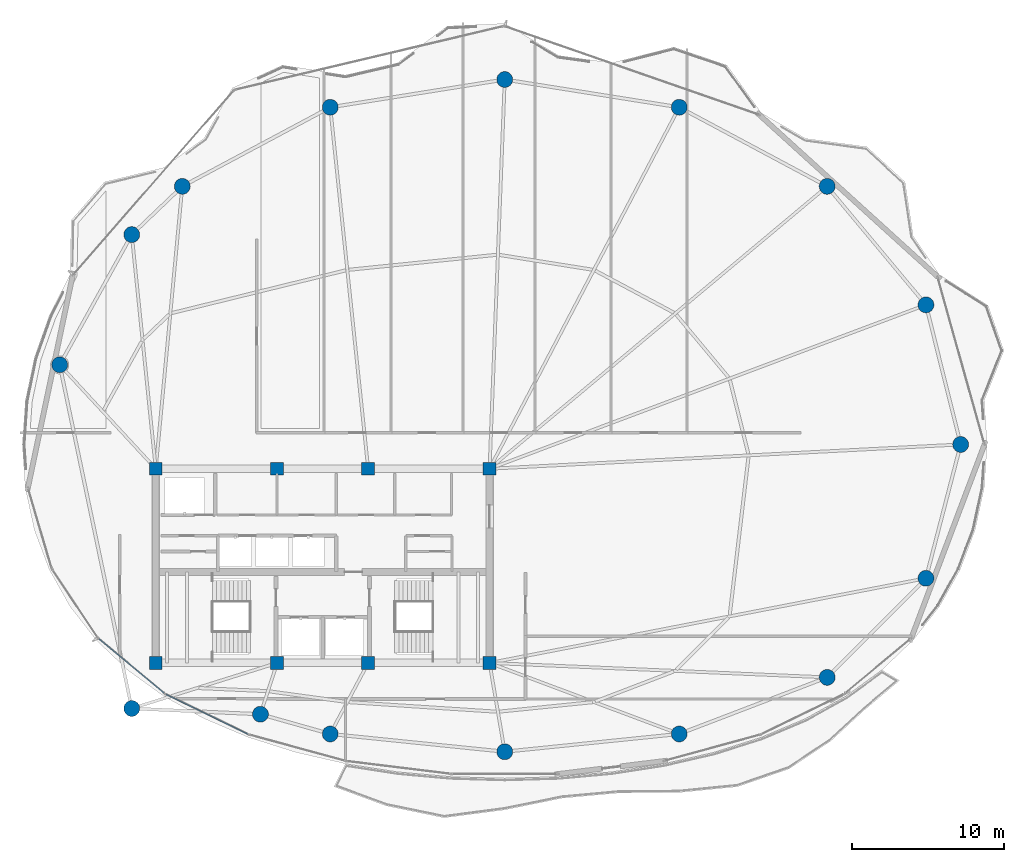
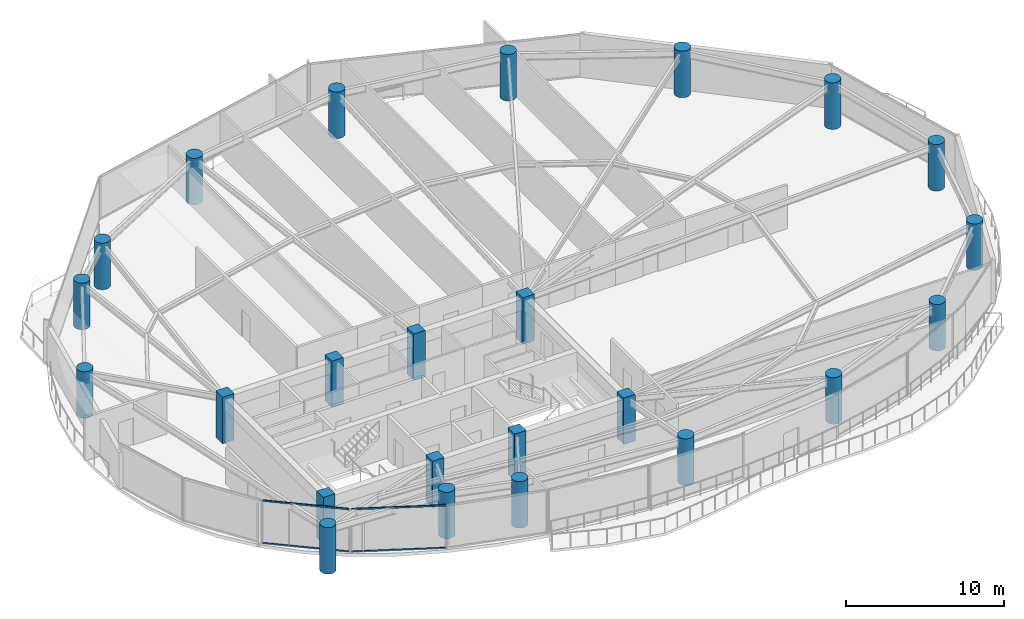
# One storey, part 1 of 28: 24 columns, 4 members, 2 elements without a shape of their own.
"""IFC4 building model written with IfcOpenShell, lengths in metres."""

from ifc_helpers import new_model, si_unit, direction, frame, origin, origin_2d, place, context, subcontext, project, spatial, rectangle, hollow_rectangle, circle, extrude, material, layer, layer_set, material_profile, profile_set, type_object, element, aggregate, save


model = new_model("IFC4")

# Units and contexts
model_context = context("Model", 3, precision=1e-05, world=origin(), true_north=direction((0.0, 1.0)))
body_context = subcontext(model_context, "Body", "Model", "MODEL_VIEW")
ifc_project = project(units=[si_unit("LENGTHUNIT", "METRE"), si_unit("AREAUNIT", "SQUARE_METRE"), si_unit("VOLUMEUNIT", "CUBIC_METRE"), si_unit("PLANEANGLEUNIT", "RADIAN"), si_unit("MASSUNIT", "GRAM", prefix="KILO")], contexts=[model_context])

# Site, building, storey
site_placement = place(None, origin())
site = spatial("IfcSite", under=ifc_project, at=site_placement, CompositionType="ELEMENT")
building_placement = place(site_placement, origin())
building = spatial("IfcBuilding", under=site, at=building_placement, Name="Kazevale Care Tower and Concert Hall", CompositionType="ELEMENT")
storey_placement = place(building_placement, frame((0.0, 0.0, 246.0)))
storey = spatial("IfcBuildingStorey", under=building, at=storey_placement, Name="L65", CompositionType="ELEMENT", Elevation=246.0)

# Columns
ifc_material_1 = material(Name="Concrete C50", Category="concrete")
ifc_material_profile_1 = material_profile(ifc_material_1, rectangle(XDim=0.85009765625, YDim=0.85009765625, at=origin_2d()), Name="RC-SQ850")
ifc_profile_set_1 = profile_set([ifc_material_profile_1], Name="Concrete C50")
column_type_1 = type_object("IfcColumnType", Name="Core Column SQ850 C50", PredefinedType="COLUMN", material=ifc_profile_set_1)
for number, where, z_axis, x_axis, name in (
    (1, (22.0, 23.60009765625, 0.0), (0.0, 0.0, 1.0), (1.0, 0.0, 0.0), "col:L65:CC-01"),
    (2, (30.0, 23.60009765625, 0.0), (0.0, 0.0, 1.0), (1.0, 0.0, 0.0), "col:L65:CC-02"),
    (3, (36.0, 23.60009765625, 0.0), (0.0, 0.0, 1.0), (1.0, 0.0, 0.0), "col:L65:CC-03"),
    (4, (44.0, 23.60009765625, 0.0), (0.0, 0.0, 1.0), (1.0, 0.0, 0.0), "col:L65:CC-04"),
    (5, (44.0, 36.39990234375, 0.0), (0.0, 0.0, 1.0), (1.0, 0.0, 0.0), "col:L65:CC-05"),
    (6, (36.0, 36.39990234375, 0.0), (0.0, 0.0, 1.0), (1.0, 0.0, 0.0), "col:L65:CC-06"),
    (7, (30.0, 36.39990234375, 0.0), (0.0, 0.0, 1.0), (1.0, 0.0, 0.0), "col:L65:CC-07"),
    (8, (22.0, 36.39990234375, 0.0), (0.0, 0.0, 1.0), (1.0, 0.0, 0.0), "col:L65:CC-08"),
):
    element("IfcColumn", number, at=place(storey_placement, frame(where, z_axis=z_axis, x_axis=x_axis)), inside=storey, type_object=column_type_1, Name=name, PredefinedType="COLUMN", context=body_context, shape_type="SweptSolid", body=[
        extrude(rectangle(XDim=0.85009765625, YDim=0.85009765625, at=origin_2d()), origin(), (0.0, 0.0, 1.0), 3.60009765625),
    ])
ifc_material_profile_2 = material_profile(ifc_material_1, circle(Radius=0.52490234375, at=origin_2d()), Name="RC-CIR1050")
ifc_profile_set_2 = profile_set([ifc_material_profile_2], Name="Concrete C50")
column_type_2 = type_object("IfcColumnType", Name="Perimeter Column CIR1050 C50", PredefinedType="COLUMN", material=ifc_profile_set_2)
for number, where, z_axis, x_axis, name in (
    (9, (75.050048828125, 38.0, 0.0), (0.0, 0.0, 1.0), (1.0, 0.0, 0.0), "col:L65:PC-01"),
    (10, (72.760009765625, 47.199951171875, 0.0), (0.0, 0.0, 1.0), (1.0, 0.0, 0.0), "col:L65:PC-02"),
    (11, (66.25, 55.010009765625, 0.0), (0.0, 0.0, 1.0), (1.0, 0.0, 0.0), "col:L65:PC-03"),
    (12, (56.5, 60.219970703125, 0.0), (0.0, 0.0, 1.0), (1.0, 0.0, 0.0), "col:L65:PC-04"),
    (13, (45.0, 62.050048828125, 0.0), (0.0, 0.0, 1.0), (1.0, 0.0, 0.0), "col:L65:PC-05"),
    (14, (33.5, 60.219970703125, 0.0), (0.0, 0.0, 1.0), (1.0, 0.0, 0.0), "col:L65:PC-06"),
    (15, (23.75, 55.010009765625, 0.0), (0.0, 0.0, 1.0), (1.0, 0.0, 0.0), "col:L65:PC-07"),
    (16, (20.419921875, 51.830078125, 0.0), (0.0, 0.0, 1.0), (1.0, 0.0, 0.0), "col:L65:PC-08"),
    (17, (15.669921875, 43.25, 0.0), (0.0, 0.0, 1.0), (1.0, 0.0, 0.0), "col:L65:PC-09"),
    (18, (20.419921875, 20.60009765625, 0.0), (0.0, 0.0, 1.0), (1.0, 0.0, 0.0), "col:L65:PC-10"),
    (19, (28.89990234375, 20.219970703125, 0.0), (0.0, 0.0, 1.0), (1.0, 0.0, 0.0), "col:L65:PC-11"),
    (20, (33.5, 18.919921875, 0.0), (0.0, 0.0, 1.0), (1.0, 0.0, 0.0), "col:L65:PC-12"),
    (21, (45.0, 17.75, 0.0), (0.0, 0.0, 1.0), (1.0, 0.0, 0.0), "col:L65:PC-13"),
    (22, (56.5, 18.919921875, 0.0), (0.0, 0.0, 1.0), (1.0, 0.0, 0.0), "col:L65:PC-14"),
    (23, (66.25, 22.64990234375, 0.0), (0.0, 0.0, 1.0), (1.0, 0.0, 0.0), "col:L65:PC-15"),
    (24, (72.760009765625, 29.179931640625, 0.0), (0.0, 0.0, 1.0), (1.0, 0.0, 0.0), "col:L65:PC-16"),
):
    element("IfcColumn", number, at=place(storey_placement, frame(where, z_axis=z_axis, x_axis=x_axis)), inside=storey, type_object=column_type_2, Name=name, PredefinedType="COLUMN", context=body_context, shape_type="SweptSolid", body=[
        extrude(circle(Radius=0.52490234375, at=origin_2d()), origin(), (0.0, 0.0, 1.0), 3.60009765625),
    ])

# Curtain wall, members
ifc_material_2 = material(Name="Aluminium 6063-T6 and Low-E Glass", Category="aluminium")
ifc_layer = layer(ifc_material_2, 0.179931640625)
ifc_layer_set = layer_set([ifc_layer], Name="Aluminium 6063-T6 and Low-E Glass")
curtain_wall_type = type_object("IfcCurtainWallType", Name="Sheltered Concave Balcony Curtain Wall CW-5", PredefinedType="NOTDEFINED", material=ifc_layer_set)
curtain_wall_1_placement = place(storey_placement, origin())
curtain_wall_1 = element("IfcCurtainWall", 25, at=curtain_wall_1_placement, inside=storey, type_object=curtain_wall_type, Name="cw:L65:f09", PredefinedType="NOTDEFINED")
ifc_material_3 = material(Name="Aluminium 6063-T6", Category="aluminium")
ifc_material_profile_3 = material_profile(ifc_material_3, hollow_rectangle(XDim=0.074951171875, YDim=0.1201171875, WallThickness=0.00390625, at=origin_2d()), Name="ALU75x120x4")
ifc_profile_set_3 = profile_set([ifc_material_profile_3], Name="Aluminium 6063-T6")
member_type = type_object("IfcMemberType", Name="CW-5 Transom ALU75x120x4", PredefinedType="USERDEFINED", material=ifc_profile_set_3)
member_1_placement = place(storey_placement, frame((28.07666015625, 18.90576171875, 0.03759765625), z_axis=(-0.899342308406, 0.437245254189, 0.0), x_axis=(-0.437245254189, -0.899342308406, 0.0)))
member_1 = element("IfcMember", 26, at=member_1_placement, type_object=member_type, Name="CW-5 transom 1.1", ObjectType="TRANSOM", PredefinedType="USERDEFINED", context=body_context, shape_type="SweptSolid", body=[
    extrude(hollow_rectangle(XDim=0.074951171875, YDim=0.1201171875, WallThickness=0.00390625, at=origin_2d()), origin(), (0.0, 0.0, 1.0), 6.00244140625),
])
member_2_placement = place(storey_placement, frame((28.07666015625, 18.90576171875, 3.322509765625), z_axis=(-0.899342308406, 0.437245254189, 0.0), x_axis=(-0.437245254189, -0.899342308406, 0.0)))
member_2 = element("IfcMember", 27, at=member_2_placement, type_object=member_type, Name="CW-5 transom 1.2", ObjectType="TRANSOM", PredefinedType="USERDEFINED", context=body_context, shape_type="SweptSolid", body=[
    extrude(hollow_rectangle(XDim=0.074951171875, YDim=0.1201171875, WallThickness=0.00390625, at=origin_2d()), origin(), (0.0, 0.0, 1.0), 6.00244140625),
])
aggregate(curtain_wall_1, [member_1, member_2])

curtain_wall_2_placement = place(storey_placement, origin())
curtain_wall_2 = element("IfcCurtainWall", 28, at=curtain_wall_2_placement, inside=storey, type_object=curtain_wall_type, Name="cw:L65:f10", PredefinedType="NOTDEFINED")
member_3_placement = place(storey_placement, frame((22.553466796875, 21.611083984375, 0.03759765625), z_axis=(-0.768432829708, 0.639930454211, 0.0), x_axis=(-0.639930454211, -0.768432829708, 0.0)))
member_3 = element("IfcMember", 29, at=member_3_placement, type_object=member_type, Name="CW-5 transom 1.1", ObjectType="TRANSOM", PredefinedType="USERDEFINED", context=body_context, shape_type="SweptSolid", body=[
    extrude(hollow_rectangle(XDim=0.074951171875, YDim=0.1201171875, WallThickness=0.00390625, at=origin_2d()), origin(), (0.0, 0.0, 1.0), 5.580078125),
])
member_4_placement = place(storey_placement, frame((22.553466796875, 21.611083984375, 3.322509765625), z_axis=(-0.768432829708, 0.639930454211, 0.0), x_axis=(-0.639930454211, -0.768432829708, 0.0)))
member_4 = element("IfcMember", 30, at=member_4_placement, type_object=member_type, Name="CW-5 transom 1.2", ObjectType="TRANSOM", PredefinedType="USERDEFINED", context=body_context, shape_type="SweptSolid", body=[
    extrude(hollow_rectangle(XDim=0.074951171875, YDim=0.1201171875, WallThickness=0.00390625, at=origin_2d()), origin(), (0.0, 0.0, 1.0), 5.580078125),
])
aggregate(curtain_wall_2, [member_3, member_4])

save(model, "model.ifc")
